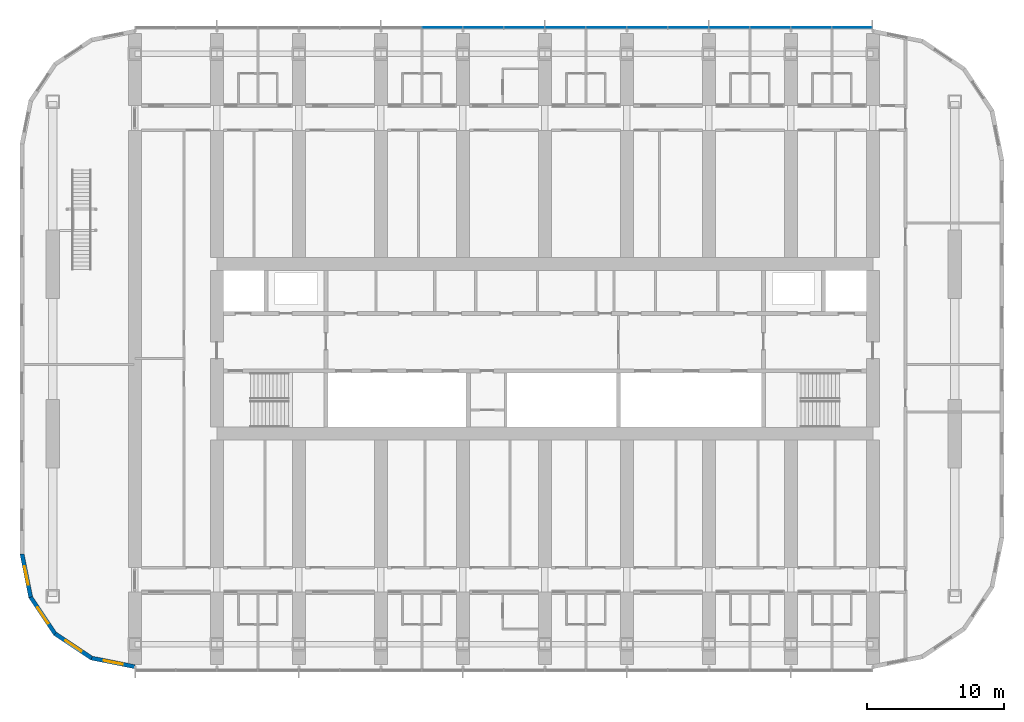
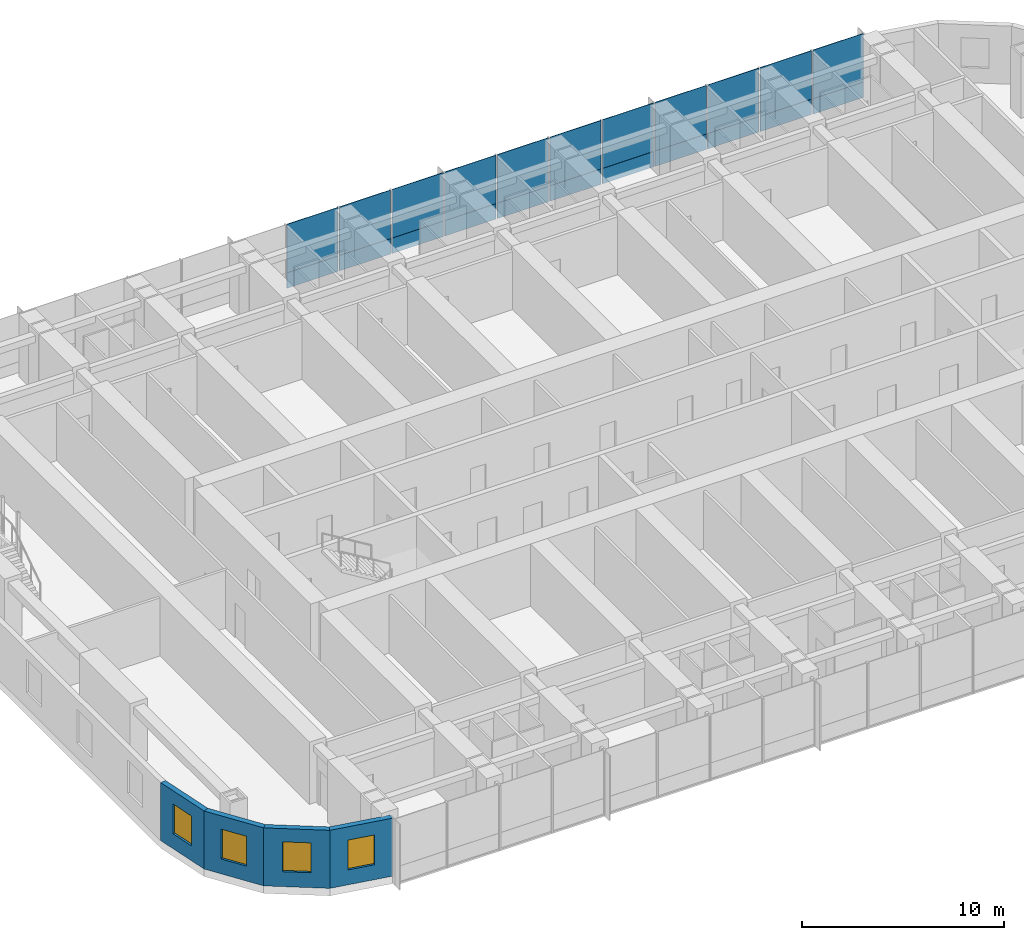
# One storey, part 9 of 25: 22 plates, 4 walls, 4 windows, 4 openings, 1 element without a shape of its own.
"""IFC4 building model written with IfcOpenShell, lengths in metres."""

from ifc_helpers import new_model, si_unit, direction, frame, frame_2d, origin, origin_2d, place, context, subcontext, project, spatial, polyline, rectangle, outline, extrude, material, layer, layer_set, type_object, element, fill, aggregate, save


model = new_model("IFC4")

# Units and contexts
model_context = context("Model", 3, precision=1e-05, world=origin(), true_north=direction((0.0, 1.0)))
body_context = subcontext(model_context, "Body", "Model", "MODEL_VIEW")
ifc_project = project(units=[si_unit("LENGTHUNIT", "METRE"), si_unit("AREAUNIT", "SQUARE_METRE"), si_unit("VOLUMEUNIT", "CUBIC_METRE"), si_unit("PLANEANGLEUNIT", "RADIAN"), si_unit("MASSUNIT", "GRAM", prefix="KILO")], contexts=[model_context])

# Site, building, storey
site_placement = place(None, origin())
site = spatial("IfcSite", under=ifc_project, at=site_placement, CompositionType="ELEMENT")
building_placement = place(site_placement, origin())
building = spatial("IfcBuilding", under=site, at=building_placement, Name="Orbita Commons", CompositionType="ELEMENT")
storey_placement = place(building_placement, frame((0.0, 0.0, 99.39990234375)))
storey = spatial("IfcBuildingStorey", under=building, at=storey_placement, Name="L24", CompositionType="ELEMENT", Elevation=99.39990234375)

# Curtain wall, plates
ifc_material_1 = material(Name="Anodised aluminium frame, pale silver", Category="aluminium")
curtain_wall_type = type_object("IfcCurtainWallType", Name="Unitised curtain wall CW-T, vision and spandrel", PredefinedType="NOTDEFINED", material=ifc_material_1)
curtain_wall_placement = place(storey_placement, origin())
curtain_wall = element("IfcCurtainWall", 1, at=curtain_wall_placement, inside=storey, type_object=curtain_wall_type, Name="Curtain wall north L24", PredefinedType="NOTDEFINED")
ifc_material_2 = material(Name="Anodised aluminium sheet on mineral wool", Category="aluminium")
ifc_layer_1 = layer(ifc_material_2, 0.050048828125)
ifc_layer_set_1 = layer_set([ifc_layer_1], Name="Anodised aluminium sheet on mineral wool")
plate_type_1 = type_object("IfcPlateType", Name="Spandrel panel, pale aluminium over insulation 50", PredefinedType="CURTAIN_PANEL", material=ifc_layer_set_1)
plate_1_placement = place(storey_placement, frame((64.47998046875, 55.510009765625, -0.35009765625), z_axis=(0.0, 0.0, 1.0), x_axis=(-1.0, 0.0, 0.0)))
plate_1 = element("IfcPlate", 2, at=plate_1_placement, type_object=plate_type_1, Name="Panel 1.1 CW-L24-N", PredefinedType="CURTAIN_PANEL", context=body_context, shape_type="SweptSolid", body=[
    extrude(rectangle(XDim=2.8798828125, YDim=0.050048828125, at=origin_2d()), origin(), (0.0, 0.0, 1.0), 0.927001953125),
])
plate_2_placement = place(storey_placement, frame((61.5, 55.510009765625, -0.35009765625), z_axis=(0.0, 0.0, 1.0), x_axis=(-1.0, 0.0, 0.0)))
plate_2 = element("IfcPlate", 3, at=plate_2_placement, type_object=plate_type_1, Name="Panel 2.1 CW-L24-N", PredefinedType="CURTAIN_PANEL", context=body_context, shape_type="SweptSolid", body=[
    extrude(rectangle(XDim=2.919921875, YDim=0.050048828125, at=origin_2d()), origin(), (0.0, 0.0, 1.0), 0.927001953125),
])
plate_3_placement = place(storey_placement, frame((58.5, 55.510009765625, -0.35009765625), z_axis=(0.0, 0.0, 1.0), x_axis=(-1.0, 0.0, 0.0)))
plate_3 = element("IfcPlate", 4, at=plate_3_placement, type_object=plate_type_1, Name="Panel 3.1 CW-L24-N", PredefinedType="CURTAIN_PANEL", context=body_context, shape_type="SweptSolid", body=[
    extrude(rectangle(XDim=2.919921875, YDim=0.050048828125, at=origin_2d()), origin(), (0.0, 0.0, 1.0), 0.927001953125),
])
plate_4_placement = place(storey_placement, frame((55.5, 55.510009765625, -0.35009765625), z_axis=(0.0, 0.0, 1.0), x_axis=(-1.0, 0.0, 0.0)))
plate_4 = element("IfcPlate", 5, at=plate_4_placement, type_object=plate_type_1, Name="Panel 4.1 CW-L24-N", PredefinedType="CURTAIN_PANEL", context=body_context, shape_type="SweptSolid", body=[
    extrude(rectangle(XDim=2.919921875, YDim=0.050048828125, at=origin_2d()), origin(), (0.0, 0.0, 1.0), 0.927001953125),
])
plate_5_placement = place(storey_placement, frame((52.5, 55.510009765625, -0.35009765625), z_axis=(0.0, 0.0, 1.0), x_axis=(-1.0, 0.0, 0.0)))
plate_5 = element("IfcPlate", 6, at=plate_5_placement, type_object=plate_type_1, Name="Panel 5.1 CW-L24-N", PredefinedType="CURTAIN_PANEL", context=body_context, shape_type="SweptSolid", body=[
    extrude(rectangle(XDim=2.919921875, YDim=0.050048828125, at=origin_2d()), origin(), (0.0, 0.0, 1.0), 0.927001953125),
])
plate_6_placement = place(storey_placement, frame((49.5, 55.510009765625, -0.35009765625), z_axis=(0.0, 0.0, 1.0), x_axis=(-1.0, 0.0, 0.0)))
plate_6 = element("IfcPlate", 7, at=plate_6_placement, type_object=plate_type_1, Name="Panel 6.1 CW-L24-N", PredefinedType="CURTAIN_PANEL", context=body_context, shape_type="SweptSolid", body=[
    extrude(rectangle(XDim=2.919921875, YDim=0.050048828125, at=origin_2d()), origin(), (0.0, 0.0, 1.0), 0.927001953125),
])
plate_7_placement = place(storey_placement, frame((46.5, 55.510009765625, -0.35009765625), z_axis=(0.0, 0.0, 1.0), x_axis=(-1.0, 0.0, 0.0)))
plate_7 = element("IfcPlate", 8, at=plate_7_placement, type_object=plate_type_1, Name="Panel 7.1 CW-L24-N", PredefinedType="CURTAIN_PANEL", context=body_context, shape_type="SweptSolid", body=[
    extrude(rectangle(XDim=2.919921875, YDim=0.050048828125, at=origin_2d()), origin(), (0.0, 0.0, 1.0), 0.927001953125),
])
plate_8_placement = place(storey_placement, frame((43.5, 55.510009765625, -0.35009765625), z_axis=(0.0, 0.0, 1.0), x_axis=(-1.0, 0.0, 0.0)))
plate_8 = element("IfcPlate", 9, at=plate_8_placement, type_object=plate_type_1, Name="Panel 8.1 CW-L24-N", PredefinedType="CURTAIN_PANEL", context=body_context, shape_type="SweptSolid", body=[
    extrude(rectangle(XDim=2.919921875, YDim=0.050048828125, at=origin_2d()), origin(), (0.0, 0.0, 1.0), 0.927001953125),
])
plate_9_placement = place(storey_placement, frame((40.5, 55.510009765625, -0.35009765625), z_axis=(0.0, 0.0, 1.0), x_axis=(-1.0, 0.0, 0.0)))
plate_9 = element("IfcPlate", 10, at=plate_9_placement, type_object=plate_type_1, Name="Panel 9.1 CW-L24-N", PredefinedType="CURTAIN_PANEL", context=body_context, shape_type="SweptSolid", body=[
    extrude(rectangle(XDim=2.919921875, YDim=0.050048828125, at=origin_2d()), origin(), (0.0, 0.0, 1.0), 0.927001953125),
])
plate_10_placement = place(storey_placement, frame((37.5, 55.510009765625, -0.35009765625), z_axis=(0.0, 0.0, 1.0), x_axis=(-1.0, 0.0, 0.0)))
plate_10 = element("IfcPlate", 11, at=plate_10_placement, type_object=plate_type_1, Name="Panel 10.1 CW-L24-N", PredefinedType="CURTAIN_PANEL", context=body_context, shape_type="SweptSolid", body=[
    extrude(rectangle(XDim=2.919921875, YDim=0.050048828125, at=origin_2d()), origin(), (0.0, 0.0, 1.0), 0.927001953125),
])
plate_11_placement = place(storey_placement, frame((34.5, 55.510009765625, -0.35009765625), z_axis=(0.0, 0.0, 1.0), x_axis=(-1.0, 0.0, 0.0)))
plate_11 = element("IfcPlate", 12, at=plate_11_placement, type_object=plate_type_1, Name="Panel 11.1 CW-L24-N", PredefinedType="CURTAIN_PANEL", context=body_context, shape_type="SweptSolid", body=[
    extrude(rectangle(XDim=2.919921875, YDim=0.050048828125, at=origin_2d()), origin(), (0.0, 0.0, 1.0), 0.927001953125),
])
ifc_material_3 = material(Name="Clear double glazing", Category="glass")
ifc_layer_2 = layer(ifc_material_3, 0.031982421875)
ifc_layer_set_2 = layer_set([ifc_layer_2], Name="Clear double glazing")
plate_type_2 = type_object("IfcPlateType", Name="Vision panel, clear double glazing 32", PredefinedType="CURTAIN_PANEL", material=ifc_layer_set_2)
plate_12_placement = place(storey_placement, frame((64.47998046875, 55.510009765625, 0.5771484375), z_axis=(0.0, 0.0, 1.0), x_axis=(-1.0, 0.0, 0.0)))
plate_12 = element("IfcPlate", 13, at=plate_12_placement, type_object=plate_type_2, Name="Panel 1.2 CW-L24-N", PredefinedType="CURTAIN_PANEL", context=body_context, shape_type="SweptSolid", body=[
    extrude(rectangle(XDim=2.8798828125, YDim=0.031982421875, at=origin_2d()), origin(), (0.0, 0.0, 1.0), 2.923095703125),
])
plate_13_placement = place(storey_placement, frame((61.5, 55.510009765625, 0.5771484375), z_axis=(0.0, 0.0, 1.0), x_axis=(-1.0, 0.0, 0.0)))
plate_13 = element("IfcPlate", 14, at=plate_13_placement, type_object=plate_type_2, Name="Panel 2.2 CW-L24-N", PredefinedType="CURTAIN_PANEL", context=body_context, shape_type="SweptSolid", body=[
    extrude(rectangle(XDim=2.919921875, YDim=0.031982421875, at=origin_2d()), origin(), (0.0, 0.0, 1.0), 2.923095703125),
])
plate_14_placement = place(storey_placement, frame((58.5, 55.510009765625, 0.5771484375), z_axis=(0.0, 0.0, 1.0), x_axis=(-1.0, 0.0, 0.0)))
plate_14 = element("IfcPlate", 15, at=plate_14_placement, type_object=plate_type_2, Name="Panel 3.2 CW-L24-N", PredefinedType="CURTAIN_PANEL", context=body_context, shape_type="SweptSolid", body=[
    extrude(rectangle(XDim=2.919921875, YDim=0.031982421875, at=origin_2d()), origin(), (0.0, 0.0, 1.0), 2.923095703125),
])
plate_15_placement = place(storey_placement, frame((55.5, 55.510009765625, 0.5771484375), z_axis=(0.0, 0.0, 1.0), x_axis=(-1.0, 0.0, 0.0)))
plate_15 = element("IfcPlate", 16, at=plate_15_placement, type_object=plate_type_2, Name="Panel 4.2 CW-L24-N", PredefinedType="CURTAIN_PANEL", context=body_context, shape_type="SweptSolid", body=[
    extrude(rectangle(XDim=2.919921875, YDim=0.031982421875, at=origin_2d()), origin(), (0.0, 0.0, 1.0), 2.923095703125),
])
plate_16_placement = place(storey_placement, frame((52.5, 55.510009765625, 0.5771484375), z_axis=(0.0, 0.0, 1.0), x_axis=(-1.0, 0.0, 0.0)))
plate_16 = element("IfcPlate", 17, at=plate_16_placement, type_object=plate_type_2, Name="Panel 5.2 CW-L24-N", PredefinedType="CURTAIN_PANEL", context=body_context, shape_type="SweptSolid", body=[
    extrude(rectangle(XDim=2.919921875, YDim=0.031982421875, at=origin_2d()), origin(), (0.0, 0.0, 1.0), 2.923095703125),
])
plate_17_placement = place(storey_placement, frame((49.5, 55.510009765625, 0.5771484375), z_axis=(0.0, 0.0, 1.0), x_axis=(-1.0, 0.0, 0.0)))
plate_17 = element("IfcPlate", 18, at=plate_17_placement, type_object=plate_type_2, Name="Panel 6.2 CW-L24-N", PredefinedType="CURTAIN_PANEL", context=body_context, shape_type="SweptSolid", body=[
    extrude(rectangle(XDim=2.919921875, YDim=0.031982421875, at=origin_2d()), origin(), (0.0, 0.0, 1.0), 2.923095703125),
])
plate_18_placement = place(storey_placement, frame((46.5, 55.510009765625, 0.5771484375), z_axis=(0.0, 0.0, 1.0), x_axis=(-1.0, 0.0, 0.0)))
plate_18 = element("IfcPlate", 19, at=plate_18_placement, type_object=plate_type_2, Name="Panel 7.2 CW-L24-N", PredefinedType="CURTAIN_PANEL", context=body_context, shape_type="SweptSolid", body=[
    extrude(rectangle(XDim=2.919921875, YDim=0.031982421875, at=origin_2d()), origin(), (0.0, 0.0, 1.0), 2.923095703125),
])
plate_19_placement = place(storey_placement, frame((43.5, 55.510009765625, 0.5771484375), z_axis=(0.0, 0.0, 1.0), x_axis=(-1.0, 0.0, 0.0)))
plate_19 = element("IfcPlate", 20, at=plate_19_placement, type_object=plate_type_2, Name="Panel 8.2 CW-L24-N", PredefinedType="CURTAIN_PANEL", context=body_context, shape_type="SweptSolid", body=[
    extrude(rectangle(XDim=2.919921875, YDim=0.031982421875, at=origin_2d()), origin(), (0.0, 0.0, 1.0), 2.923095703125),
])
plate_20_placement = place(storey_placement, frame((40.5, 55.510009765625, 0.5771484375), z_axis=(0.0, 0.0, 1.0), x_axis=(-1.0, 0.0, 0.0)))
plate_20 = element("IfcPlate", 21, at=plate_20_placement, type_object=plate_type_2, Name="Panel 9.2 CW-L24-N", PredefinedType="CURTAIN_PANEL", context=body_context, shape_type="SweptSolid", body=[
    extrude(rectangle(XDim=2.919921875, YDim=0.031982421875, at=origin_2d()), origin(), (0.0, 0.0, 1.0), 2.923095703125),
])
plate_21_placement = place(storey_placement, frame((37.5, 55.510009765625, 0.5771484375), z_axis=(0.0, 0.0, 1.0), x_axis=(-1.0, 0.0, 0.0)))
plate_21 = element("IfcPlate", 22, at=plate_21_placement, type_object=plate_type_2, Name="Panel 10.2 CW-L24-N", PredefinedType="CURTAIN_PANEL", context=body_context, shape_type="SweptSolid", body=[
    extrude(rectangle(XDim=2.919921875, YDim=0.031982421875, at=origin_2d()), origin(), (0.0, 0.0, 1.0), 2.923095703125),
])
plate_22_placement = place(storey_placement, frame((34.5, 55.510009765625, 0.5771484375), z_axis=(0.0, 0.0, 1.0), x_axis=(-1.0, 0.0, 0.0)))
plate_22 = element("IfcPlate", 23, at=plate_22_placement, type_object=plate_type_2, Name="Panel 11.2 CW-L24-N", PredefinedType="CURTAIN_PANEL", context=body_context, shape_type="SweptSolid", body=[
    extrude(rectangle(XDim=2.919921875, YDim=0.031982421875, at=origin_2d()), origin(), (0.0, 0.0, 1.0), 2.923095703125),
])
aggregate(curtain_wall, [plate_1, plate_12, plate_2, plate_13, plate_3, plate_14, plate_4, plate_15, plate_5, plate_16, plate_6, plate_17, plate_7, plate_18, plate_8, plate_19, plate_9, plate_20, plate_10, plate_21, plate_11, plate_22])

# Wall, opening, window
ifc_material_4 = material(Name="Precast concrete C40/50, white board-marked finish", Category="concrete")
ifc_layer_3 = layer(ifc_material_4, 0.300048828125)
ifc_layer_set_3 = layer_set([ifc_layer_3], Name="Precast concrete C40/50, white board-marked finish")
wall_type = type_object("IfcWallType", Name="Precast concrete end shield 300", PredefinedType="SOLIDWALL", material=ifc_layer_set_3)
wall_1_placement = place(storey_placement, frame((3.75, 17.0, 0.0), z_axis=(0.0, 0.0, 1.0), x_axis=(0.195080412259, -0.980787251524, 0.0)))
wall_1 = element("IfcWall", 24, at=wall_1_placement, inside=storey, type_object=wall_type, Name="End shield SW chord 1 L24", PredefinedType="SOLIDWALL", context=body_context, shape_type="SweptSolid", body=[
    extrude(outline(polyline([(-0.014892578125, -0.14990234375), (3.24853515625, -0.14990234375), (3.18896484375, 0.14990234375), (0.014892578125, 0.14990234375), (-0.014892578125, -0.14990234375)])), origin(), (0.0, 0.0, 1.0), 3.5),
])
opening_1_placement = place(wall_1_placement, frame((0.909423828125, 0.0, 0.89990234375)))
opening_1 = element("IfcOpeningElement", 25, at=opening_1_placement, cuts=wall_1, Name="Opening W02", PredefinedType="OPENING", context=body_context, shape_type="SweptSolid", body=[
    extrude(rectangle(XDim=1.39990234375, YDim=1.800048828125, at=frame_2d((0.699951171875, 0.89990234375))), frame((0.0, 0.159912109375, 0.0), z_axis=(0.0, -1.0, 0.0), x_axis=(1.0, 0.0, 0.0)), (0.0, 0.0, 1.0), 0.320068359375),
])
ifc_material_5 = material(Name="Aluminium frame, clear double glazing", Category="aluminium")
window_type = type_object("IfcWindowType", Name="Deep-set window 1400x1800", PartitioningType="SINGLE_PANEL", PredefinedType="WINDOW", material=ifc_material_5)
window_1_placement = place(opening_1_placement, origin())
window_1 = element("IfcWindow", 26, at=window_1_placement, inside=storey, type_object=window_type, Name="Window L24-SW0", OverallHeight=1.800048828125, OverallWidth=1.39990234375, PartitioningType="SINGLE_PANEL", PredefinedType="WINDOW", context=body_context, shape_type="SweptSolid", body=[
    extrude(rectangle(XDim=1.39990234375, YDim=1.800048828125, at=frame_2d((0.699951171875, 0.89990234375))), frame((0.0, 0.030029296875, 0.0), z_axis=(0.0, -1.0, 0.0), x_axis=(1.0, 0.0, 0.0)), (0.0, 0.0, 1.0), 0.06005859375),
])
fill(opening_1, window_1)

wall_2_placement = place(storey_placement, frame((4.3779296875, 13.843017578125, 0.0), z_axis=(0.0, 0.0, 1.0), x_axis=(0.555609954424, -0.831443069936, 0.0)))
wall_2 = element("IfcWall", 27, at=wall_2_placement, inside=storey, type_object=wall_type, Name="End shield SW chord 2 L24", PredefinedType="SOLIDWALL", context=body_context, shape_type="SweptSolid", body=[
    extrude(outline(polyline([(-0.02978515625, -0.14990234375), (3.2490234375, -0.14990234375), (3.189453125, 0.14990234375), (0.02978515625, 0.14990234375), (-0.02978515625, -0.14990234375)])), origin(), (0.0, 0.0, 1.0), 3.5),
])
opening_2_placement = place(wall_2_placement, frame((0.909423828125, 0.0, 0.89990234375)))
opening_2 = element("IfcOpeningElement", 28, at=opening_2_placement, cuts=wall_2, Name="Opening W02", PredefinedType="OPENING", context=body_context, shape_type="SweptSolid", body=[
    extrude(rectangle(XDim=1.39990234375, YDim=1.800048828125, at=frame_2d((0.699951171875, 0.89990234375))), frame((0.0, 0.159912109375, 0.0), z_axis=(0.0, -1.0, 0.0), x_axis=(1.0, 0.0, 0.0)), (0.0, 0.0, 1.0), 0.320068359375),
])
window_2_placement = place(opening_2_placement, origin())
window_2 = element("IfcWindow", 29, at=window_2_placement, inside=storey, type_object=window_type, Name="Window L24-SW1", OverallHeight=1.800048828125, OverallWidth=1.39990234375, PartitioningType="SINGLE_PANEL", PredefinedType="WINDOW", context=body_context, shape_type="SweptSolid", body=[
    extrude(rectangle(XDim=1.39990234375, YDim=1.800048828125, at=frame_2d((0.699951171875, 0.89990234375))), frame((0.0, 0.030029296875, 0.0), z_axis=(0.0, -1.0, 0.0), x_axis=(1.0, 0.0, 0.0)), (0.0, 0.0, 1.0), 0.06005859375),
])
fill(opening_2, window_2)

wall_3_placement = place(storey_placement, frame((6.16650390625, 11.16650390625, 0.0), z_axis=(0.0, 0.0, 1.0), x_axis=(0.831443069936, -0.555609954424, 0.0)))
wall_3 = element("IfcWall", 30, at=wall_3_placement, inside=storey, type_object=wall_type, Name="End shield SW chord 3 L24", PredefinedType="SOLIDWALL", context=body_context, shape_type="SweptSolid", body=[
    extrude(outline(polyline([(-0.02978515625, -0.14990234375), (3.2490234375, -0.14990234375), (3.189453125, 0.14990234375), (0.02978515625, 0.14990234375), (-0.02978515625, -0.14990234375)])), origin(), (0.0, 0.0, 1.0), 3.5),
])
opening_3_placement = place(wall_3_placement, frame((0.909423828125, 0.0, 0.89990234375)))
opening_3 = element("IfcOpeningElement", 31, at=opening_3_placement, cuts=wall_3, Name="Opening W02", PredefinedType="OPENING", context=body_context, shape_type="SweptSolid", body=[
    extrude(rectangle(XDim=1.39990234375, YDim=1.800048828125, at=frame_2d((0.699951171875, 0.89990234375))), frame((0.0, 0.159912109375, 0.0), z_axis=(0.0, -1.0, 0.0), x_axis=(1.0, 0.0, 0.0)), (0.0, 0.0, 1.0), 0.320068359375),
])
window_3_placement = place(opening_3_placement, origin())
window_3 = element("IfcWindow", 32, at=window_3_placement, inside=storey, type_object=window_type, Name="Window L24-SW2", OverallHeight=1.800048828125, OverallWidth=1.39990234375, PartitioningType="SINGLE_PANEL", PredefinedType="WINDOW", context=body_context, shape_type="SweptSolid", body=[
    extrude(rectangle(XDim=1.39990234375, YDim=1.800048828125, at=frame_2d((0.699951171875, 0.89990234375))), frame((0.0, 0.030029296875, 0.0), z_axis=(0.0, -1.0, 0.0), x_axis=(1.0, 0.0, 0.0)), (0.0, 0.0, 1.0), 0.06005859375),
])
fill(opening_3, window_3)

wall_4_placement = place(storey_placement, frame((8.843017578125, 9.3779296875, 0.0), z_axis=(0.0, 0.0, 1.0), x_axis=(0.980787251524, -0.195080412259, 0.0)))
wall_4 = element("IfcWall", 33, at=wall_4_placement, inside=storey, type_object=wall_type, Name="End shield SW chord 4 L24", PredefinedType="SOLIDWALL", context=body_context, shape_type="SweptSolid", body=[
    extrude(outline(polyline([(-0.02978515625, -0.14990234375), (3.24853515625, -0.14990234375), (3.18896484375, 0.14990234375), (0.02978515625, 0.14990234375), (-0.02978515625, -0.14990234375)])), origin(), (0.0, 0.0, 1.0), 3.5),
])
opening_4_placement = place(wall_4_placement, frame((0.909423828125, 0.0, 0.89990234375)))
opening_4 = element("IfcOpeningElement", 34, at=opening_4_placement, cuts=wall_4, Name="Opening W02", PredefinedType="OPENING", context=body_context, shape_type="SweptSolid", body=[
    extrude(rectangle(XDim=1.39990234375, YDim=1.800048828125, at=frame_2d((0.699951171875, 0.89990234375))), frame((0.0, 0.159912109375, 0.0), z_axis=(0.0, -1.0, 0.0), x_axis=(1.0, 0.0, 0.0)), (0.0, 0.0, 1.0), 0.320068359375),
])
window_4_placement = place(opening_4_placement, origin())
window_4 = element("IfcWindow", 35, at=window_4_placement, inside=storey, type_object=window_type, Name="Window L24-SW3", OverallHeight=1.800048828125, OverallWidth=1.39990234375, PartitioningType="SINGLE_PANEL", PredefinedType="WINDOW", context=body_context, shape_type="SweptSolid", body=[
    extrude(rectangle(XDim=1.39990234375, YDim=1.800048828125, at=frame_2d((0.699951171875, 0.89990234375))), frame((0.0, 0.030029296875, 0.0), z_axis=(0.0, -1.0, 0.0), x_axis=(1.0, 0.0, 0.0)), (0.0, 0.0, 1.0), 0.06005859375),
])
fill(opening_4, window_4)

save(model, "model.ifc")
